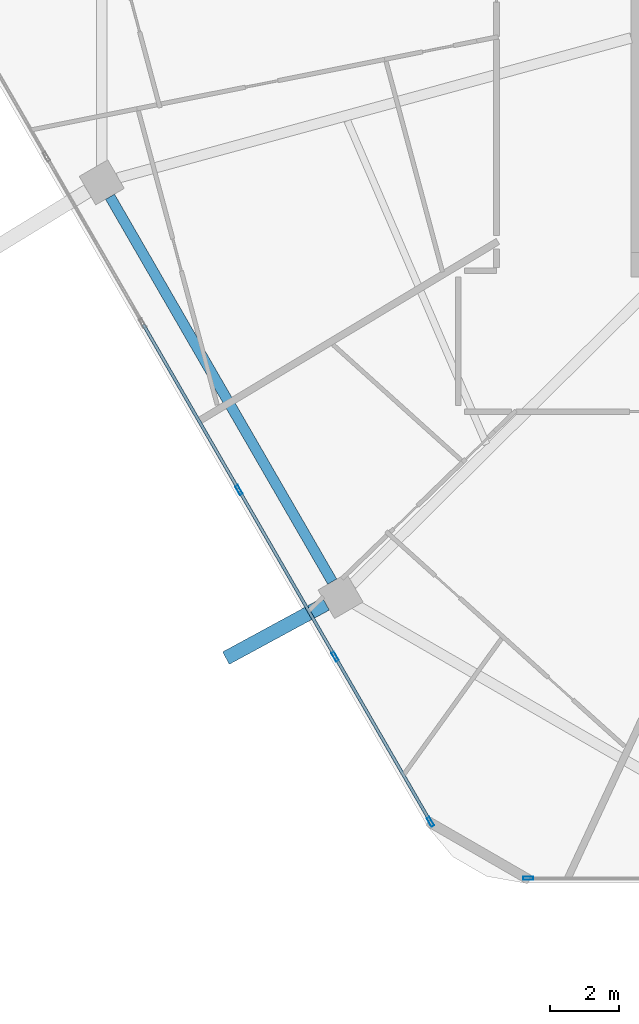
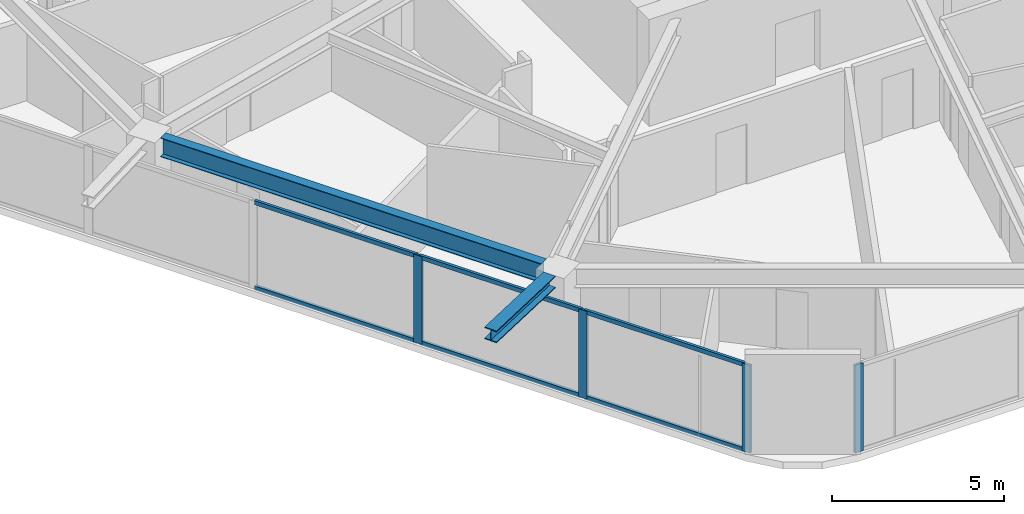
# One storey, part 2 of 26: 10 members, 2 beams, 2 elements without a shape of their own.
"""IFC4 building model written with IfcOpenShell, lengths in metres."""

from ifc_helpers import new_model, si_unit, direction, frame, origin, origin_2d, place, context, subcontext, project, spatial, hollow_rectangle, i_section, extrude, material, material_profile, profile_set, type_object, element, aggregate, save


model = new_model("IFC4")

# Units and contexts
model_context = context("Model", 3, precision=1e-05, world=origin(), true_north=direction((0.0, 1.0)))
body_context = subcontext(model_context, "Body", "Model", "MODEL_VIEW")
ifc_project = project(units=[si_unit("LENGTHUNIT", "METRE"), si_unit("AREAUNIT", "SQUARE_METRE"), si_unit("VOLUMEUNIT", "CUBIC_METRE"), si_unit("PLANEANGLEUNIT", "RADIAN"), si_unit("MASSUNIT", "GRAM", prefix="KILO")], contexts=[model_context])

# Site, building, storey
site_placement = place(None, origin())
site = spatial("IfcSite", under=ifc_project, at=site_placement, CompositionType="ELEMENT")
building_placement = place(site_placement, origin())
building = spatial("IfcBuilding", under=site, at=building_placement, Name="Zuhravey Tower", CompositionType="ELEMENT")
storey_placement = place(building_placement, frame((0.0, 0.0, 211.199951171875)))
storey = spatial("IfcBuildingStorey", under=building, at=storey_placement, Name="L53", CompositionType="ELEMENT", Elevation=211.199951171875)

# Curtain wall, member
ifc_material_1 = material(Name="Thermally broken anodised aluminium", Category="aluminium")
curtain_wall_type = type_object("IfcCurtainWallType", Name="Zone 1-2 Residential Curtain Wall CW3", PredefinedType="NOTDEFINED", material=ifc_material_1)
curtain_wall_1_placement = place(storey_placement, origin())
curtain_wall_1 = element("IfcCurtainWall", 1, at=curtain_wall_1_placement, inside=storey, type_object=curtain_wall_type, Name="L53 CW3 CW-L53-F5-1", PredefinedType="NOTDEFINED")
ifc_material_2 = material(Name="Anodised aluminium", Category="aluminium")
ifc_material_profile_1 = material_profile(ifc_material_2, hollow_rectangle(XDim=0.090087890625, YDim=0.284912109375, WallThickness=0.0048828125, at=origin_2d()), Name="ALU-RHS-90x285x5")
ifc_profile_set_1 = profile_set([ifc_material_profile_1], Name="Anodised aluminium")
member_type_1 = type_object("IfcMemberType", Name="Curtain-Wall Mullion 90x180", PredefinedType="MULLION", material=ifc_profile_set_1)
member_1_placement = place(storey_placement, frame((22.183837890625, 4.81689453125, 0.0), z_axis=(0.0, 0.0, 1.0), x_axis=(0.0, -1.0, 0.0)))
member_1 = element("IfcMember", 2, at=member_1_placement, type_object=member_type_1, Name="CW3 mullion 6", PredefinedType="MULLION", context=body_context, shape_type="SweptSolid", body=[
    extrude(hollow_rectangle(XDim=0.090087890625, YDim=0.284912109375, WallThickness=0.0048828125, at=origin_2d()), origin(), (0.0, 0.0, 1.0), 3.1220703125),
])
aggregate(curtain_wall_1, [member_1])

# Curtain wall, members
curtain_wall_2_placement = place(storey_placement, origin())
curtain_wall_2 = element("IfcCurtainWall", 3, at=curtain_wall_2_placement, inside=storey, type_object=curtain_wall_type, Name="L53 CW3 CW-L53-F4-1", PredefinedType="NOTDEFINED")
member_2_placement = place(storey_placement, frame((19.36669921875, 6.443359375, 0.0), z_axis=(0.0, 0.0, 1.0), x_axis=(-0.866025138215, -0.500000459979, 0.0)))
member_2 = element("IfcMember", 4, at=member_2_placement, type_object=member_type_1, Name="CW3 mullion 1", PredefinedType="MULLION", context=body_context, shape_type="SweptSolid", body=[
    extrude(hollow_rectangle(XDim=0.090087890625, YDim=0.284912109375, WallThickness=0.0048828125, at=origin_2d()), origin(), (0.0, 0.0, 1.0), 3.1220703125),
])
member_3_placement = place(storey_placement, frame((16.6171875, 11.2060546875, 0.0), z_axis=(0.0, 0.0, 1.0), x_axis=(-0.866025138215, -0.500000459979, 0.0)))
member_3 = element("IfcMember", 5, at=member_3_placement, type_object=member_type_1, Name="CW3 mullion 2", PredefinedType="MULLION", context=body_context, shape_type="SweptSolid", body=[
    extrude(hollow_rectangle(XDim=0.090087890625, YDim=0.284912109375, WallThickness=0.0048828125, at=origin_2d()), origin(), (0.0, 0.0, 1.0), 3.1220703125),
])
member_4_placement = place(storey_placement, frame((13.844970703125, 16.007568359375, 0.0), z_axis=(0.0, 0.0, 1.0), x_axis=(-0.866025138215, -0.500000459979, 0.0)))
member_4 = element("IfcMember", 6, at=member_4_placement, type_object=member_type_1, Name="CW3 mullion 3", PredefinedType="MULLION", context=body_context, shape_type="SweptSolid", body=[
    extrude(hollow_rectangle(XDim=0.090087890625, YDim=0.284912109375, WallThickness=0.0048828125, at=origin_2d()), origin(), (0.0, 0.0, 1.0), 3.1220703125),
])
ifc_material_profile_2 = material_profile(ifc_material_2, hollow_rectangle(XDim=0.090087890625, YDim=0.14990234375, WallThickness=0.0048828125, at=origin_2d()), Name="ALU-RHS-90x150x5")
ifc_profile_set_2 = profile_set([ifc_material_profile_2], Name="Anodised aluminium")
member_type_2 = type_object("IfcMemberType", Name="Curtain-Wall Transom 90x150", PredefinedType="USERDEFINED", material=ifc_profile_set_2)
member_5_placement = place(storey_placement, frame((19.34423828125, 6.482421875, 0.045166015625), z_axis=(-0.499993332629, 0.866029253159, 0.0), x_axis=(-0.866029253159, -0.499993332629, 0.0)))
member_5 = element("IfcMember", 7, at=member_5_placement, type_object=member_type_2, Name="CW3 transom 1.1", ObjectType="TRANSOM", PredefinedType="USERDEFINED", context=body_context, shape_type="SweptSolid", body=[
    extrude(hollow_rectangle(XDim=0.090087890625, YDim=0.14990234375, WallThickness=0.0048828125, at=origin_2d()), origin(), (0.0, 0.0, 1.0), 5.4091796875),
])
member_6_placement = place(storey_placement, frame((19.34423828125, 6.482421875, 3.0771484375), z_axis=(-0.499993332629, 0.866029253159, 0.0), x_axis=(-0.866029253159, -0.499993332629, 0.0)))
member_6 = element("IfcMember", 8, at=member_6_placement, type_object=member_type_2, Name="CW3 transom 1.2", ObjectType="TRANSOM", PredefinedType="USERDEFINED", context=body_context, shape_type="SweptSolid", body=[
    extrude(hollow_rectangle(XDim=0.090087890625, YDim=0.14990234375, WallThickness=0.0048828125, at=origin_2d()), origin(), (0.0, 0.0, 1.0), 5.4091796875),
])
member_7_placement = place(storey_placement, frame((16.594482421875, 11.244873046875, 0.045166015625), z_axis=(-0.49996138257, 0.86604769842, 0.0), x_axis=(-0.86604769842, -0.49996138257, 0.0)))
member_7 = element("IfcMember", 9, at=member_7_placement, type_object=member_type_2, Name="CW3 transom 2.1", ObjectType="TRANSOM", PredefinedType="USERDEFINED", context=body_context, shape_type="SweptSolid", body=[
    extrude(hollow_rectangle(XDim=0.090087890625, YDim=0.14990234375, WallThickness=0.0048828125, at=origin_2d()), origin(), (0.0, 0.0, 1.0), 5.45458984375),
])
member_8_placement = place(storey_placement, frame((16.594482421875, 11.244873046875, 3.0771484375), z_axis=(-0.49996138257, 0.86604769842, 0.0), x_axis=(-0.86604769842, -0.49996138257, 0.0)))
member_8 = element("IfcMember", 10, at=member_8_placement, type_object=member_type_2, Name="CW3 transom 2.2", ObjectType="TRANSOM", PredefinedType="USERDEFINED", context=body_context, shape_type="SweptSolid", body=[
    extrude(hollow_rectangle(XDim=0.090087890625, YDim=0.14990234375, WallThickness=0.0048828125, at=origin_2d()), origin(), (0.0, 0.0, 1.0), 5.45458984375),
])
member_9_placement = place(storey_placement, frame((13.822265625, 16.046630859375, 0.045166015625), z_axis=(-0.499980763544, 0.866036509673, 0.0), x_axis=(-0.866036509673, -0.499980763544, 0.0)))
member_9 = element("IfcMember", 11, at=member_9_placement, type_object=member_type_2, Name="CW3 transom 3.1", ObjectType="TRANSOM", PredefinedType="USERDEFINED", context=body_context, shape_type="SweptSolid", body=[
    extrude(hollow_rectangle(XDim=0.090087890625, YDim=0.14990234375, WallThickness=0.0048828125, at=origin_2d()), origin(), (0.0, 0.0, 1.0), 5.454345703125),
])
member_10_placement = place(storey_placement, frame((13.822265625, 16.046630859375, 3.0771484375), z_axis=(-0.499980763544, 0.866036509673, 0.0), x_axis=(-0.866036509673, -0.499980763544, 0.0)))
member_10 = element("IfcMember", 12, at=member_10_placement, type_object=member_type_2, Name="CW3 transom 3.2", ObjectType="TRANSOM", PredefinedType="USERDEFINED", context=body_context, shape_type="SweptSolid", body=[
    extrude(hollow_rectangle(XDim=0.090087890625, YDim=0.14990234375, WallThickness=0.0048828125, at=origin_2d()), origin(), (0.0, 0.0, 1.0), 5.454345703125),
])
aggregate(curtain_wall_2, [member_2, member_3, member_4, member_5, member_6, member_7, member_8, member_9, member_10])

# Beams
ifc_material_3 = material(Name="Steel SM460", Category="steel")
ifc_material_profile_3 = material_profile(ifc_material_3, i_section(OverallWidth=0.406982421875, OverallDepth=0.427978515625, WebThickness=0.02001953125, FlangeThickness=0.034912109375, at=origin_2d()), Name="H-428x407x20x35")
ifc_profile_set_3 = profile_set([ifc_material_profile_3], Name="Steel SM460")
beam_type_1 = type_object("IfcBeamType", Name="Exoskeleton Node Tie Beam H428x407", PredefinedType="BEAM", material=ifc_profile_set_3)
beam_1_placement = place(storey_placement, frame((16.353271484375, 12.72509765625, 3.3359375), z_axis=(-0.87911121627, -0.476616690254, 0.0), x_axis=(0.476616690254, -0.87911121627, 0.0)))
element("IfcBeam", 13, at=beam_1_placement, inside=storey, type_object=beam_type_1, Name="L53 Exoskeleton Node Tie NT1-08", PredefinedType="BEAM", context=body_context, shape_type="SweptSolid", body=[
    extrude(i_section(OverallWidth=0.406982421875, OverallDepth=0.427978515625, WebThickness=0.02001953125, FlangeThickness=0.034912109375, at=origin_2d()), origin(), (0.0, 0.0, 1.0), 3.27734375),
])
ifc_material_4 = material(Name="Steel SM355", Category="steel")
ifc_material_profile_4 = material_profile(ifc_material_4, i_section(OverallWidth=0.300048828125, OverallDepth=0.679931640625, WebThickness=0.012939453125, FlangeThickness=0.02197265625, at=origin_2d()), Name="H-680x300x13x22")
ifc_profile_set_4 = profile_set([ifc_material_profile_4], Name="Steel SM355")
beam_type_2 = type_object("IfcBeamType", Name="Perimeter Ring Beam H680x300", PredefinedType="BEAM", material=ifc_profile_set_4)
beam_2_placement = place(storey_placement, frame((10.13134765625, 24.45947265625, 3.2099609375), z_axis=(0.500003505699, -0.866023379758, 0.0), x_axis=(0.866023379758, 0.500003505699, 0.0)))
element("IfcBeam", 14, at=beam_2_placement, inside=storey, type_object=beam_type_2, Name="L53 PB2 BM-L53-PB-07", PredefinedType="BEAM", context=body_context, shape_type="SweptSolid", body=[
    extrude(i_section(OverallWidth=0.300048828125, OverallDepth=0.679931640625, WebThickness=0.012939453125, FlangeThickness=0.02197265625, at=origin_2d()), origin(), (0.0, 0.0, 1.0), 12.80810546875),
])

save(model, "model.ifc")
